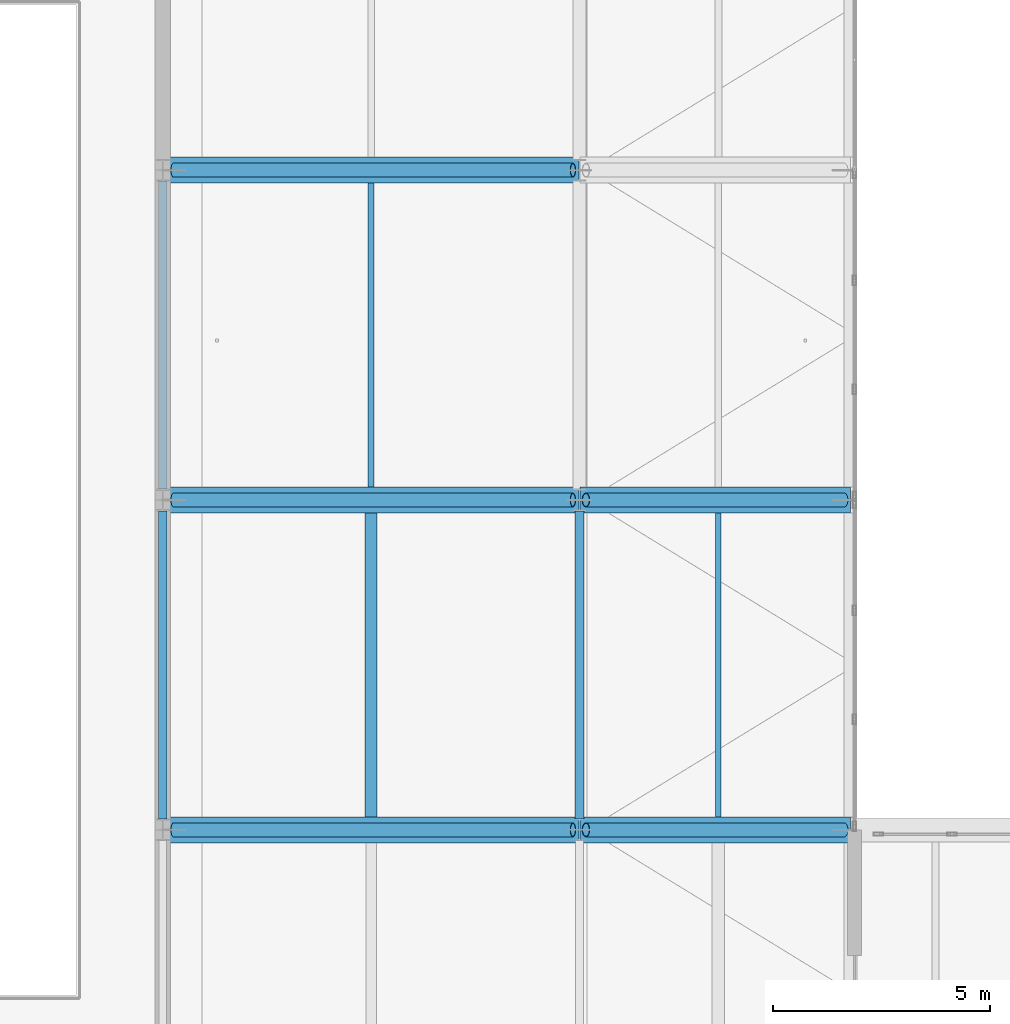
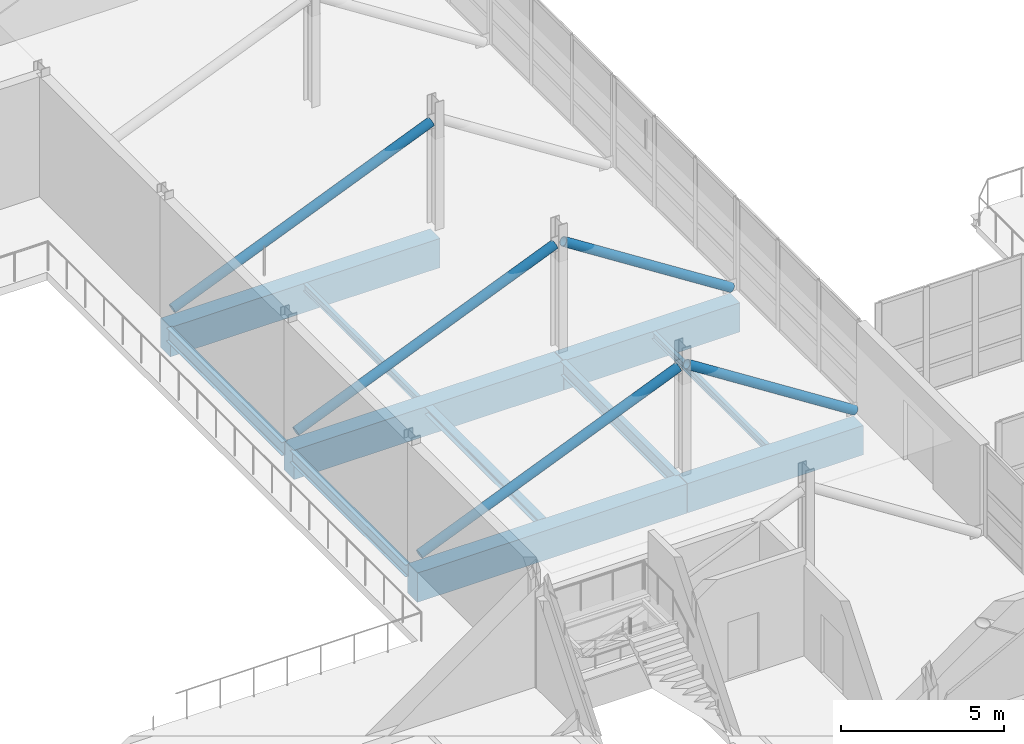
# One storey, part 15 of 147: 11 beams, 5 members.
"""IFC4 building model written with IfcOpenShell, lengths in metres."""

import ifcopenshell
import ifcopenshell.guid

model = None  # the IFC model being written
_history = None  # IfcOwnerHistory: only IFC2X3 demands one
_inside = {}  # id of a spatial element -> (the spatial element, [elements in it])
_under = {}  # id of a project, library or spatial element -> (it, [spatial elements below it])
_declared = {}  # id of a project -> (the project, [libraries it declares])
_typed = {}  # id of a type object -> (the type object, [elements of that type])
_made_of = {}  # id of a material, layer set ... -> (it, [elements and type objects made of it])


def new_model(schema):
    """Start an empty IFC model of exactly this schema.

    Asked for "IFC4X3", IfcOpenShell would pick the latest addendum, in which some entities
    have other attributes; the version numbers below select the first issue.
    IFC2X3 requires an IfcOwnerHistory on every rooted entity: one is made here for all.
    """
    global model, _history
    if schema == "IFC4X3":
        model = ifcopenshell.file(schema_version=(4, 3, 0, 0))
    else:
        model = ifcopenshell.file(schema=schema)
    _inside.clear()
    _under.clear()
    _declared.clear()
    _typed.clear()
    _made_of.clear()
    _history = None
    if model.schema == "IFC2X3":
        org = make("IfcOrganization", Name="unknown")
        user = make(
            "IfcPersonAndOrganization",
            ThePerson=make("IfcPerson", FamilyName="unknown"),
            TheOrganization=org,
        )
        app = make(
            "IfcApplication",
            ApplicationDeveloper=org,
            Version="unknown",
            ApplicationFullName="unknown",
            ApplicationIdentifier="unknown",
        )
        _history = make(
            "IfcOwnerHistory",
            OwningUser=user,
            OwningApplication=app,
            ChangeAction="ADDED",
            CreationDate=0,
        )
    return model


def make(cls, **values):
    """One entity of the class cls with the attributes given. An attribute that is None is left unset."""
    return model.create_entity(
        cls, **{name: value for name, value in values.items() if value is not None}
    )


def rooted(cls, **values):
    """An entity with a GlobalId (a new one), such as an element, a storey or a relation."""
    return make(cls, GlobalId=ifcopenshell.guid.new(), OwnerHistory=_history, **values)


def si_unit(unit_type, name, prefix=None):
    """IfcSIUnit, for example si_unit("LENGTHUNIT", "METRE", prefix="MILLI")."""
    return make("IfcSIUnit", UnitType=unit_type, Prefix=prefix, Name=name)


def assignment(units):
    """IfcUnitAssignment: the units of a project."""
    return None if units is None else make("IfcUnitAssignment", Units=units)


def point(xyz):
    """IfcCartesianPoint."""
    return None if xyz is None else make("IfcCartesianPoint", Coordinates=xyz)


def direction(xyz):
    """IfcDirection."""
    return None if xyz is None else make("IfcDirection", DirectionRatios=xyz)


def frame(location, z_axis=None, x_axis=None):
    """IfcAxis2Placement3D, a coordinate frame: its origin and axes. An axis left out is left unset."""
    return make(
        "IfcAxis2Placement3D",
        Location=point(location),
        Axis=direction(z_axis),
        RefDirection=direction(x_axis),
    )


def frame_2d(location, x_axis=None):
    """IfcAxis2Placement2D, a coordinate frame in the plane: its origin and x axis."""
    return make(
        "IfcAxis2Placement2D", Location=point(location), RefDirection=direction(x_axis)
    )


def origin():
    """The frame at (0, 0, 0) with its axes left unset."""
    return frame((0.0, 0.0, 0.0))


def origin_2d():
    """The frame at (0, 0) in the plane with its x axis left unset."""
    return frame_2d((0.0, 0.0))


def place(relative_to, where):
    """IfcLocalPlacement: puts the frame where relative to a parent placement (None: the world)."""
    return make(
        "IfcLocalPlacement", PlacementRelTo=relative_to, RelativePlacement=where
    )


def context(
    kind, dimensions, precision=None, world=None, true_north=None, identifier=None
):
    """IfcGeometricRepresentationContext, for example the 3D "Model" context."""
    return make(
        "IfcGeometricRepresentationContext",
        ContextIdentifier=identifier,
        ContextType=kind,
        CoordinateSpaceDimension=dimensions,
        Precision=precision,
        WorldCoordinateSystem=world,
        TrueNorth=true_north,
    )


def subcontext(parent, identifier, kind, view, scale=None):
    """IfcGeometricRepresentationSubContext, for example "Body" below "Model"."""
    return make(
        "IfcGeometricRepresentationSubContext",
        ContextIdentifier=identifier,
        ContextType=kind,
        ParentContext=parent,
        TargetScale=scale,
        TargetView=view,
    )


def project(units=None, contexts=None):
    """IfcProject with its units and contexts."""
    return rooted(
        "IfcProject",
        Name="project",
        RepresentationContexts=contexts,
        UnitsInContext=assignment(units),
    )


def spatial(cls, under=None, at=None, **own):
    """A site, building, storey or space (cls), placed at a placement, below another one or the project."""
    s = rooted(cls, ObjectPlacement=at, **own)
    if under is not None:
        _under.setdefault(under.id(), (under, []))[1].append(s)
    return s


def profile(cls, at=None, kind="AREA", **sizes):
    """A parametric profile (cls). Its sizes go by their IFC names, for example OverallWidth=200.0."""
    return make(cls, ProfileType=kind, Position=at, **sizes)


def rectangle(**sizes):
    """IfcRectangleProfileDef."""
    return profile("IfcRectangleProfileDef", **sizes)


def hollow_circle(**sizes):
    """IfcCircleHollowProfileDef."""
    return profile("IfcCircleHollowProfileDef", **sizes)


def i_section(**sizes):
    """IfcIShapeProfileDef."""
    return profile("IfcIShapeProfileDef", **sizes)


def extrude(swept, where, along, depth):
    """IfcExtrudedAreaSolid: the profile swept, set in the frame where, extruded along a direction by depth."""
    return make(
        "IfcExtrudedAreaSolid",
        SweptArea=swept,
        Position=where,
        ExtrudedDirection=direction(along),
        Depth=depth,
    )


def shape(context_of_items, identifier, shape_type, items):
    """IfcShapeRepresentation: the items that make up one representation, for example the "Body"."""
    return make(
        "IfcShapeRepresentation",
        ContextOfItems=context_of_items,
        RepresentationIdentifier=identifier,
        RepresentationType=shape_type,
        Items=items,
    )


def material(Name=None, Category=None):
    """IfcMaterial."""
    return make("IfcMaterial", Name=Name, Category=Category)


def material_profile(
    of_material, cross_section, Name=None, Category=None, Priority=None
):
    """IfcMaterialProfile: a cross section and its material."""
    return make(
        "IfcMaterialProfile",
        Name=Name,
        Material=of_material,
        Profile=cross_section,
        Priority=Priority,
        Category=Category,
    )


def profile_set(profiles, Name=None, composite=None):
    """IfcMaterialProfileSet."""
    return make(
        "IfcMaterialProfileSet",
        Name=Name,
        MaterialProfiles=profiles,
        CompositeProfile=composite,
    )


def made_of(thing, what):
    """Note that an element or type object is made of a material, layer set ...; save() writes the relation."""
    if what is not None:
        _made_of.setdefault(what.id(), (what, []))[1].append(thing)
    return thing


def type_object(cls, material=None, **own):
    """A type object (cls), such as IfcWallType, which elements share."""
    return made_of(rooted(cls, **own), material)


def element(
    cls,
    number,
    at=None,
    inside=None,
    cuts=None,
    type_object=None,
    material=None,
    context=None,
    identifier="Body",
    shape_type=None,
    held_by="IfcProductDefinitionShape",
    body=None,
    shapes=None,
    **own,
):
    """One element of the class cls, such as IfcWall. Its Tag is "e" and its number.

    at: its placement. inside: the storey or other place that contains it. cuts: it is an
    opening in that element (IfcRelVoidsElement). A single representation is given by context,
    identifier, shape_type and body (its items); several are given by shapes. held_by: the class
    of the entity that holds the representations. save() writes the other relations.
    """
    e = rooted(cls, Tag="e%d" % number, ObjectPlacement=at, **own)
    if body is not None:
        shapes = [shape(context, identifier, shape_type, body)]
    if shapes is not None:
        e.Representation = make(held_by, Representations=shapes)
    if inside is not None:
        _inside.setdefault(inside.id(), (inside, []))[1].append(e)
    if cuts is not None:
        rooted(
            "IfcRelVoidsElement", RelatingBuildingElement=cuts, RelatedOpeningElement=e
        )
    if type_object is not None:
        _typed.setdefault(type_object.id(), (type_object, []))[1].append(e)
    return made_of(e, material)


def aggregate(whole, parts):
    """IfcRelAggregates: a whole, such as a stair, and the parts it consists of."""
    return rooted("IfcRelAggregates", RelatingObject=whole, RelatedObjects=parts)


def save(model, path):
    """Write the relations noted so far, then the file.

    IfcRelAggregates (storeys below a building ...), IfcRelContainedInSpatialStructure (elements
    in a storey), IfcRelDefinesByType, IfcRelAssociatesMaterial and IfcRelDeclares: one each for
    every whole, place, type object, material and project.
    """
    for whole, parts in _under.values():
        aggregate(whole, parts)
    for where, things in _inside.values():
        rooted(
            "IfcRelContainedInSpatialStructure",
            RelatedElements=things,
            RelatingStructure=where,
        )
    for kind, things in _typed.values():
        rooted("IfcRelDefinesByType", RelatedObjects=things, RelatingType=kind)
    for what, things in _made_of.values():
        rooted("IfcRelAssociatesMaterial", RelatedObjects=things, RelatingMaterial=what)
    for by, libraries in _declared.values():
        rooted("IfcRelDeclares", RelatingContext=by, RelatedDefinitions=libraries)
    model.write(path)


model = new_model("IFC4")

# Units and contexts
model_context = context("Model", 3, precision=1e-05, world=origin(), true_north=direction((0.0, 1.0)))
body_context = subcontext(model_context, "Body", "Model", "MODEL_VIEW")
ifc_project = project(units=[si_unit("LENGTHUNIT", "METRE"), si_unit("AREAUNIT", "SQUARE_METRE"), si_unit("VOLUMEUNIT", "CUBIC_METRE"), si_unit("PLANEANGLEUNIT", "RADIAN"), si_unit("MASSUNIT", "GRAM", prefix="KILO")], contexts=[model_context])

# Site, building, storey
site_placement = place(None, origin())
site = spatial("IfcSite", under=ifc_project, at=site_placement, CompositionType="ELEMENT")
building_placement = place(site_placement, origin())
building = spatial("IfcBuilding", under=site, at=building_placement, Name="Khelvaren Railside Concert Hall", CompositionType="ELEMENT")
storey_placement = place(building_placement, frame((0.0, 0.0, 5.39990234375)))
storey = spatial("IfcBuildingStorey", under=building, at=storey_placement, Name="L01", CompositionType="ELEMENT", Elevation=5.39990234375)

# Beams
ifc_material_1 = material(Name="Steel S355", Category="steel")
ifc_material_profile_1 = material_profile(ifc_material_1, i_section(OverallWidth=0.199951171875, OverallDepth=0.5, WebThickness=0.01025390625, FlangeThickness=0.01611328125, FilletRadius=0.02099609375, at=origin_2d()), Name="IPE 500")
ifc_profile_set_1 = profile_set([ifc_material_profile_1], Name="Steel S355")
beam_type_1 = type_object("IfcBeamType", Name="BM62", PredefinedType="BEAM", material=ifc_profile_set_1)
beam_1_placement = place(storey_placement, frame((40.0, 23.050048828125, -0.5498046875), z_axis=(0.0, 1.0, 0.0), x_axis=(-1.0, 0.0, 0.0)))
element("IfcBeam", 1, at=beam_1_placement, inside=storey, type_object=beam_type_1, Name="V1 L01 Beam Y6.4", PredefinedType="BEAM", context=body_context, shape_type="SweptSolid", body=[
    extrude(i_section(OverallWidth=0.199951171875, OverallDepth=0.5, WebThickness=0.01025390625, FlangeThickness=0.01611328125, FilletRadius=0.02099609375, at=origin_2d()), origin(), (0.0, 0.0, 1.0), 7.099853515625),
])
beam_2_placement = place(storey_placement, frame((49.60009765625, 15.449951171875, -0.5498046875), z_axis=(0.0, 1.0, 0.0), x_axis=(-1.0, 0.0, 0.0)))
element("IfcBeam", 2, at=beam_2_placement, inside=storey, type_object=beam_type_1, Name="V1 L01 Beam Y7.3", PredefinedType="BEAM", context=body_context, shape_type="SweptSolid", body=[
    extrude(i_section(OverallWidth=0.199951171875, OverallDepth=0.5, WebThickness=0.01025390625, FlangeThickness=0.01611328125, FilletRadius=0.02099609375, at=origin_2d()), origin(), (0.0, 0.0, 1.0), 7.10009765625),
])
ifc_material_profile_2 = material_profile(ifc_material_1, i_section(OverallWidth=0.18994140625, OverallDepth=0.449951171875, WebThickness=0.009521484375, FlangeThickness=0.0146484375, FilletRadius=0.02099609375, at=origin_2d()), Name="IPE 450")
ifc_profile_set_2 = profile_set([ifc_material_profile_2], Name="Steel S355")
beam_type_2 = type_object("IfcBeamType", Name="BM95", PredefinedType="BEAM", material=ifc_profile_set_2)
beam_3_placement = place(storey_placement, frame((40.0, 15.449951171875, -0.52490234375), z_axis=(0.0, 1.0, 0.0), x_axis=(-1.0, 0.0, 0.0)))
element("IfcBeam", 3, at=beam_3_placement, inside=storey, type_object=beam_type_2, Name="V1 L01 Beam Y6.3", PredefinedType="BEAM", context=body_context, shape_type="SweptSolid", body=[
    extrude(i_section(OverallWidth=0.18994140625, OverallDepth=0.449951171875, WebThickness=0.009521484375, FlangeThickness=0.0146484375, FilletRadius=0.02099609375, at=origin_2d()), origin(), (0.0, 0.0, 1.0), 7.10009765625),
])

# Members
ifc_material_profile_3 = material_profile(ifc_material_1, hollow_circle(Radius=0.161865234375, WallThickness=0.01611328125, at=origin_2d()), Name="CHS 323.9x16")
ifc_profile_set_3 = profile_set([ifc_material_profile_3], Name="Steel S355")
member_type = type_object("IfcMemberType", Name="BR78", PredefinedType="BRACE", material=ifc_profile_set_3)
member_1_placement = place(storey_placement, frame((49.75, 15.199951171875, 3.960205078125), z_axis=(0.842137077221, 0.0, -0.539263519228), x_axis=(0.0, 1.0, 0.0)))
element("IfcMember", 4, at=member_1_placement, inside=storey, type_object=member_type, Name="V1 L01 Plaza Cantilever Truss Diagonal 3A", PredefinedType="BRACE", context=body_context, shape_type="SweptSolid", body=[
    extrude(hollow_circle(Radius=0.161865234375, WallThickness=0.01611328125, at=origin_2d()), origin(), (0.0, 0.0, 1.0), 7.065185546875),
])
member_2_placement = place(storey_placement, frame((40.25, 15.199951171875, 0.150146484375), z_axis=(0.923903885845, 0.0, 0.382624632925), x_axis=(0.0, 1.0, 0.0)))
element("IfcMember", 5, at=member_2_placement, inside=storey, type_object=member_type, Name="V1 L01 Plaza Cantilever Truss Backspan Diagonal 3B", PredefinedType="BRACE", context=body_context, shape_type="SweptSolid", body=[
    extrude(hollow_circle(Radius=0.161865234375, WallThickness=0.01611328125, at=origin_2d()), origin(), (0.0, 0.0, 1.0), 9.957763671875),
])
member_3_placement = place(storey_placement, frame((49.75, 22.800048828125, 3.960205078125), z_axis=(0.842137077221, 0.0, -0.539263519228), x_axis=(0.0, 1.0, 0.0)))
element("IfcMember", 6, at=member_3_placement, inside=storey, type_object=member_type, Name="V1 L01 Plaza Cantilever Truss Diagonal 4A", PredefinedType="BRACE", context=body_context, shape_type="SweptSolid", body=[
    extrude(hollow_circle(Radius=0.161865234375, WallThickness=0.01611328125, at=origin_2d()), origin(), (0.0, 0.0, 1.0), 7.065185546875),
])
for number, where, z_axis, x_axis, name in (
    (7, (40.25, 22.800048828125, 0.150146484375), (0.923903885845, 0.0, 0.382624632925), (0.0, 1.0, 0.0), "V1 L01 Plaza Cantilever Truss Backspan Diagonal 4B"),
    (8, (40.25, 30.39990234375, 0.150146484375), (0.923903885845, 0.0, 0.382624632925), (0.0, 1.0, 0.0), "V1 L01 Plaza Cantilever Truss Backspan Diagonal 5B"),
):
    element("IfcMember", number, at=place(storey_placement, frame(where, z_axis=z_axis, x_axis=x_axis)), inside=storey, type_object=member_type, Name=name, PredefinedType="BRACE", context=body_context, shape_type="SweptSolid", body=[
        extrude(hollow_circle(Radius=0.161865234375, WallThickness=0.01611328125, at=origin_2d()), origin(), (0.0, 0.0, 1.0), 9.957763671875),
    ])

# Beams
ifc_material_2 = material(Name="Concrete C40/50", Category="concrete")
ifc_material_profile_4 = material_profile(ifc_material_2, rectangle(XDim=0.60009765625, YDim=1.10009765625, at=origin_2d()), Name="RCB 600x1100")
ifc_profile_set_4 = profile_set([ifc_material_profile_4], Name="Concrete C40/50")
beam_type_3 = type_object("IfcBeamType", Name="GR15", PredefinedType="T_BEAM", material=ifc_profile_set_4)
beam_4_placement = place(storey_placement, frame((40.010009765625, 15.199951171875, -0.849853515625), z_axis=(1.0, 0.0, 0.0), x_axis=(0.0, 1.0, 0.0)))
element("IfcBeam", 9, at=beam_4_placement, inside=storey, type_object=beam_type_3, Name="V1 L01 Cantilever Backspan Girder 3", PredefinedType="T_BEAM", context=body_context, shape_type="SweptSolid", body=[
    extrude(rectangle(XDim=0.60009765625, YDim=1.10009765625, at=origin_2d()), origin(), (0.0, 0.0, 1.0), 9.580078125),
])
beam_5_placement = place(storey_placement, frame((49.610107421875, 15.199951171875, -0.849853515625), z_axis=(1.0, 0.0, 0.0), x_axis=(0.0, 1.0, 0.0)))
element("IfcBeam", 10, at=beam_5_placement, inside=storey, type_object=beam_type_3, Name="V1 L01 Arrival Cantilever Girder 3", PredefinedType="T_BEAM", context=body_context, shape_type="SweptSolid", body=[
    extrude(rectangle(XDim=0.60009765625, YDim=1.10009765625, at=origin_2d()), origin(), (0.0, 0.0, 1.0), 6.239990234375),
])
beam_6_placement = place(storey_placement, frame((40.010009765625, 22.800048828125, -0.849853515625), z_axis=(1.0, 0.0, 0.0), x_axis=(0.0, 1.0, 0.0)))
element("IfcBeam", 11, at=beam_6_placement, inside=storey, type_object=beam_type_3, Name="V1 L01 Cantilever Backspan Girder 4", PredefinedType="T_BEAM", context=body_context, shape_type="SweptSolid", body=[
    extrude(rectangle(XDim=0.60009765625, YDim=1.10009765625, at=origin_2d()), origin(), (0.0, 0.0, 1.0), 9.580078125),
])
beam_7_placement = place(storey_placement, frame((49.610107421875, 22.800048828125, -0.849853515625), z_axis=(1.0, 0.0, 0.0), x_axis=(0.0, 1.0, 0.0)))
element("IfcBeam", 12, at=beam_7_placement, inside=storey, type_object=beam_type_3, Name="V1 L01 Arrival Cantilever Girder 4", PredefinedType="T_BEAM", context=body_context, shape_type="SweptSolid", body=[
    extrude(rectangle(XDim=0.60009765625, YDim=1.10009765625, at=origin_2d()), origin(), (0.0, 0.0, 1.0), 6.239990234375),
])
beam_8_placement = place(storey_placement, frame((40.010009765625, 30.39990234375, -0.849853515625), z_axis=(1.0, 0.0, 0.0), x_axis=(0.0, 1.0, 0.0)))
element("IfcBeam", 13, at=beam_8_placement, inside=storey, type_object=beam_type_3, Name="V1 L01 Cantilever Backspan Girder 5", PredefinedType="T_BEAM", context=body_context, shape_type="SweptSolid", body=[
    extrude(rectangle(XDim=0.60009765625, YDim=1.10009765625, at=origin_2d()), origin(), (0.0, 0.0, 1.0), 9.580078125),
])
ifc_material_profile_5 = material_profile(ifc_material_1, i_section(OverallWidth=0.280029296875, OverallDepth=0.27001953125, WebThickness=0.008056640625, FlangeThickness=0.012939453125, FilletRadius=0.02392578125, at=origin_2d()), Name="HEA 280")
ifc_profile_set_5 = profile_set([ifc_material_profile_5], Name="Steel S355")
beam_type_4 = type_object("IfcBeamType", Name="JS46", PredefinedType="JOIST", material=ifc_profile_set_5)
beam_9_placement = place(storey_placement, frame((44.800048828125, 15.5, -0.434814453125), z_axis=(0.0, 1.0, 0.0), x_axis=(-1.0, 0.0, 0.0)))
element("IfcBeam", 14, at=beam_9_placement, inside=storey, type_object=beam_type_4, Name="V1 L01 Secondary Joist 6.3", PredefinedType="JOIST", context=body_context, shape_type="SweptSolid", body=[
    extrude(i_section(OverallWidth=0.280029296875, OverallDepth=0.27001953125, WebThickness=0.008056640625, FlangeThickness=0.012939453125, FilletRadius=0.02392578125, at=origin_2d()), origin(), (0.0, 0.0, 1.0), 7.0),
])
ifc_material_profile_6 = material_profile(ifc_material_1, i_section(OverallWidth=0.135009765625, OverallDepth=0.27001953125, WebThickness=0.006591796875, FlangeThickness=0.01025390625, FilletRadius=0.014892578125, at=origin_2d()), Name="IPE 270")
ifc_profile_set_6 = profile_set([ifc_material_profile_6], Name="Steel S355")
beam_type_5 = type_object("IfcBeamType", Name="JS78", PredefinedType="JOIST", material=ifc_profile_set_6)
for number, where, z_axis, x_axis, name in (
    (15, (44.800048828125, 23.10009765625, -0.434814453125), (0.0, 1.0, 0.0), (-1.0, 0.0, 0.0), "V1 L01 Secondary Joist 6.4"),
    (16, (52.800048828125, 15.5, -0.434814453125), (0.0, 1.0, 0.0), (-1.0, 0.0, 0.0), "V1 L01 Secondary Joist 7.3"),
):
    element("IfcBeam", number, at=place(storey_placement, frame(where, z_axis=z_axis, x_axis=x_axis)), inside=storey, type_object=beam_type_5, Name=name, PredefinedType="JOIST", context=body_context, shape_type="SweptSolid", body=[
        extrude(i_section(OverallWidth=0.135009765625, OverallDepth=0.27001953125, WebThickness=0.006591796875, FlangeThickness=0.01025390625, FilletRadius=0.014892578125, at=origin_2d()), origin(), (0.0, 0.0, 1.0), 7.0),
    ])

save(model, "model.ifc")
